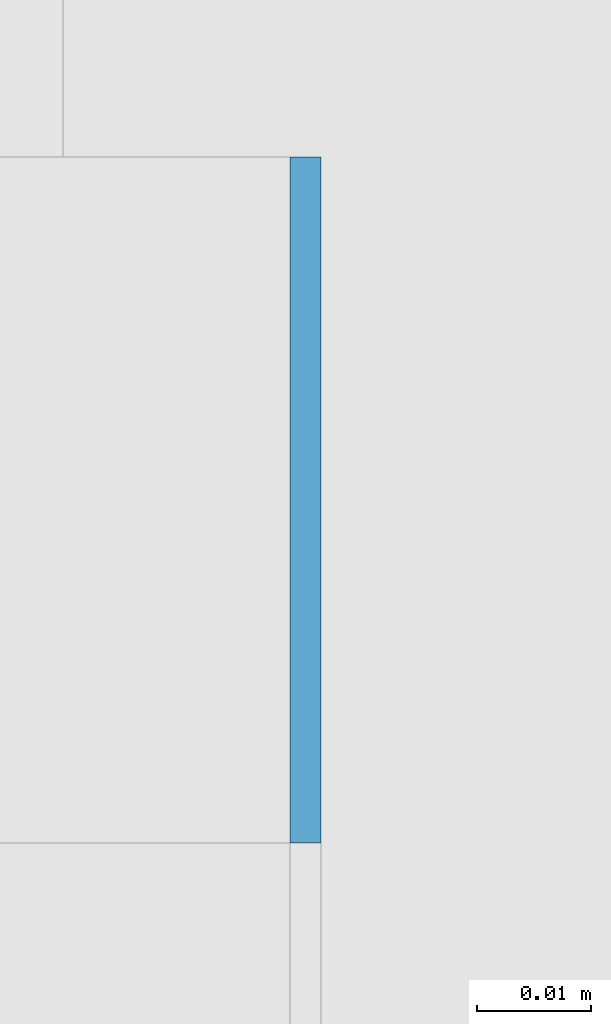
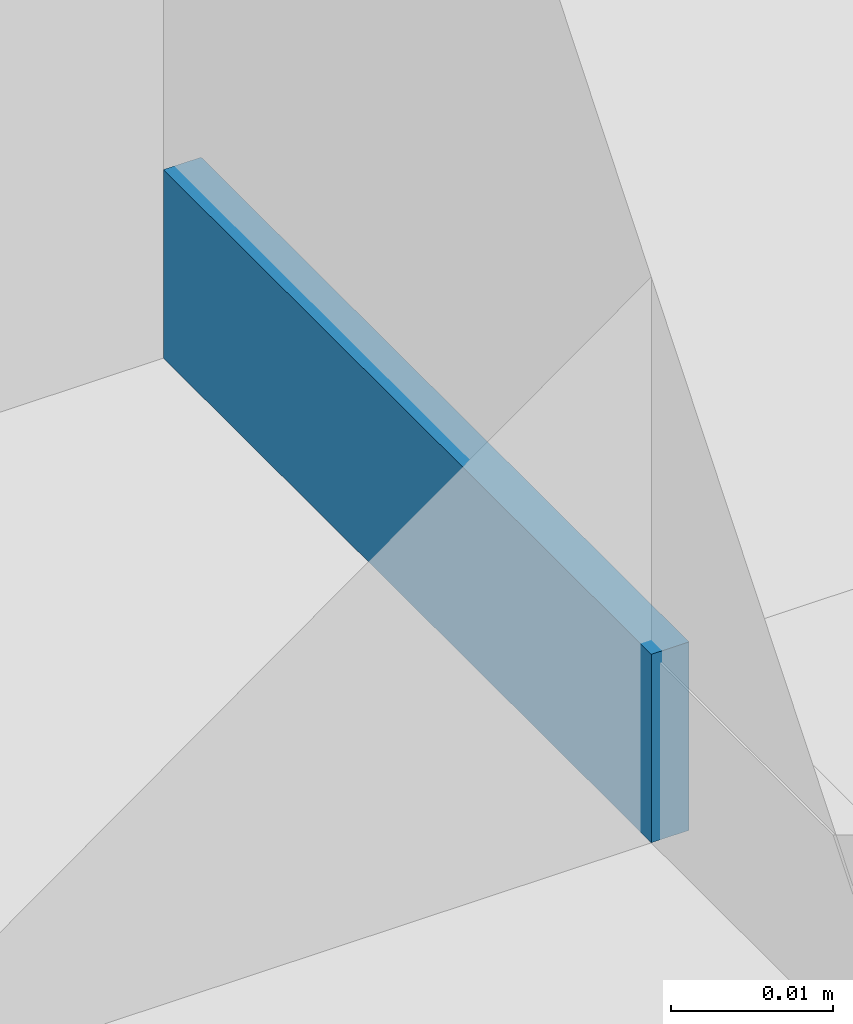
# One storey, part 318 of 646: 1 discrete accessory.
"""IFC4 building model written with IfcOpenShell, lengths in metres."""

from ifc_helpers import new_model, si_unit, direction, frame, origin, origin_2d, place, context, subcontext, project, spatial, rectangle, extrude, material, type_object, element, save


model = new_model("IFC4")

# Units and contexts
model_context = context("Model", 3, precision=1e-05, world=origin(), true_north=direction((0.0, 1.0)))
body_context = subcontext(model_context, "Body", "Model", "MODEL_VIEW")
ifc_project = project(units=[si_unit("LENGTHUNIT", "METRE"), si_unit("AREAUNIT", "SQUARE_METRE"), si_unit("VOLUMEUNIT", "CUBIC_METRE"), si_unit("PLANEANGLEUNIT", "RADIAN"), si_unit("MASSUNIT", "GRAM", prefix="KILO")], contexts=[model_context])

# Site, building, storey
site_placement = place(None, origin())
site = spatial("IfcSite", under=ifc_project, at=site_placement, CompositionType="ELEMENT")
building_placement = place(site_placement, origin())
building = spatial("IfcBuilding", under=site, at=building_placement, Name="Silverbay Arena", CompositionType="ELEMENT")
storey_placement = place(building_placement, frame((0.0, 0.0, 33.5)))
storey = spatial("IfcBuildingStorey", under=building, at=storey_placement, Name="L05", CompositionType="ELEMENT", Elevation=33.5)

# Discrete accessory
ifc_material = material(Name="Steel S355", Category="steel")
discrete_accessory_type = type_object("IfcDiscreteAccessoryType", Name="Steel bracket plate", PredefinedType="BRACKET", material=ifc_material)
discrete_accessory_placement = place(storey_placement, frame((53.871337890625, 72.030029296875, 4.0), z_axis=(0.0, 0.0, 1.0), x_axis=(1.0, 0.0, 0.0)))
element("IfcDiscreteAccessory", 1, at=discrete_accessory_placement, inside=storey, type_object=discrete_accessory_type, Name="Curtain wall packing plate", PredefinedType="BRACKET", context=body_context, shape_type="SweptSolid", body=[
    extrude(rectangle(XDim=0.002685546875, YDim=0.06005859375, at=origin_2d()), origin(), (0.0, 0.0, 1.0), 0.01416015625),
])

save(model, "model.ifc")
